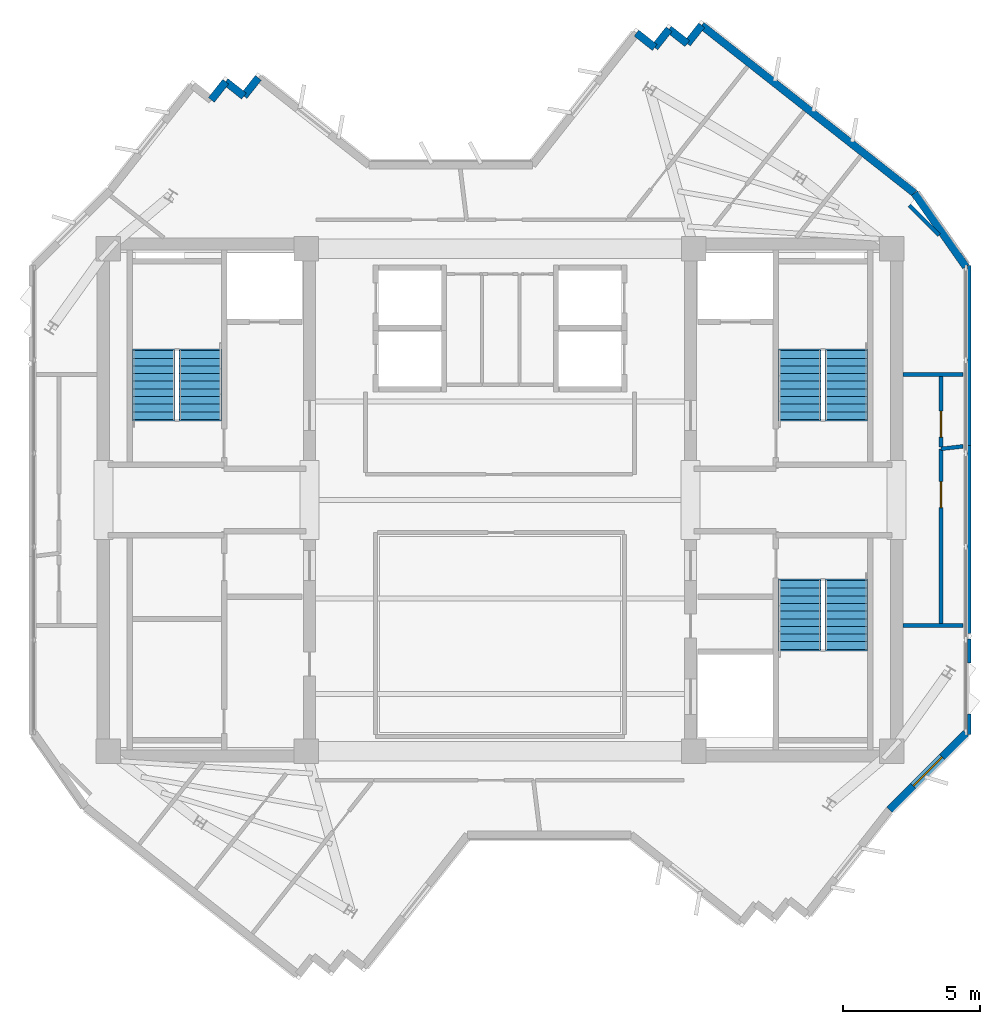
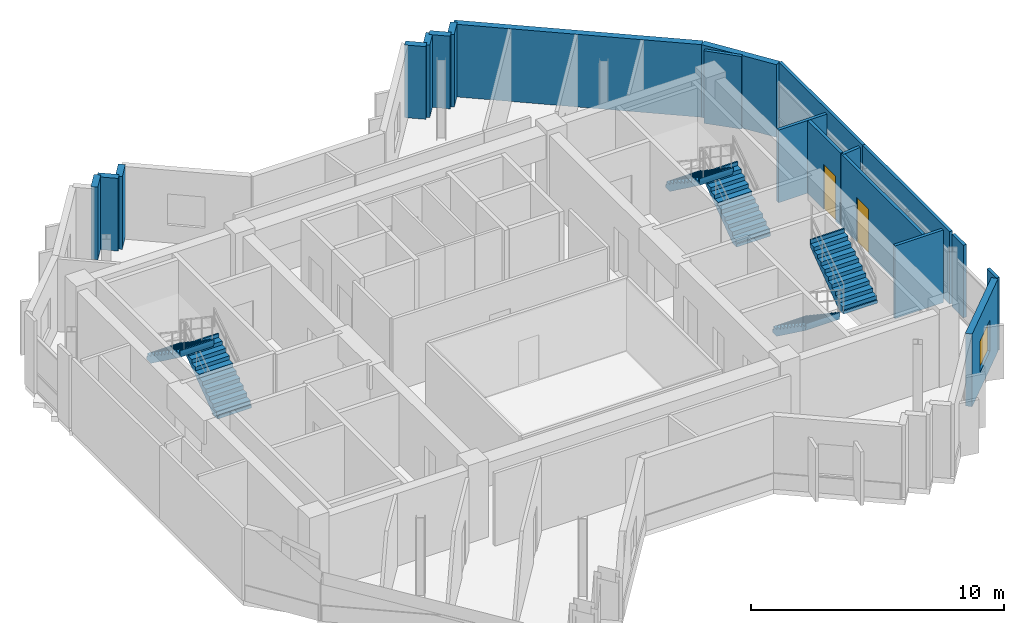
# One storey, part 8 of 10: 20 walls, 6 stair flights, 2 doors, 1 window, 3 openings, 3 elements without a shape of their own.
"""IFC4 building model written with IfcOpenShell, lengths in metres."""

from ifc_helpers import new_model, si_unit, direction, frame, frame_2d, origin, place, context, subcontext, project, spatial, polyline, rectangle, outline, extrude, source, transform, mapped, material, layer, layer_set, type_object, element, fill, aggregate, save


model = new_model("IFC4")

# Units and contexts
model_context = context("Model", 3, precision=1e-05, world=origin(), true_north=direction((0.0, 1.0)))
body_context = subcontext(model_context, "Body", "Model", "MODEL_VIEW")
ifc_project = project(units=[si_unit("LENGTHUNIT", "METRE"), si_unit("AREAUNIT", "SQUARE_METRE"), si_unit("VOLUMEUNIT", "CUBIC_METRE"), si_unit("PLANEANGLEUNIT", "RADIAN"), si_unit("MASSUNIT", "GRAM", prefix="KILO")], contexts=[model_context])

# Site, building, storey
site_placement = place(None, origin())
site = spatial("IfcSite", under=ifc_project, at=site_placement, CompositionType="ELEMENT")
building_placement = place(site_placement, origin())
building = spatial("IfcBuilding", under=site, at=building_placement, Name="Zahravan Cultural Tower", CompositionType="ELEMENT")
storey_placement = place(building_placement, frame((0.0, 0.0, 323.550048828125)))
storey = spatial("IfcBuildingStorey", under=building, at=storey_placement, Name="L78", CompositionType="ELEMENT", Elevation=323.550048828125)

# Wall, opening, window
ifc_material_1 = material(Name="Precast concrete C40/50", Category="concrete")
ifc_layer_1 = layer(ifc_material_1, 0.280029296875)
ifc_layer_set_1 = layer_set([ifc_layer_1], Name="Precast concrete C40/50")
wall_type_1 = type_object("IfcWallType", Name="EW-TC-280", PredefinedType="SOLIDWALL", material=ifc_layer_set_1)
wall_1_placement = place(storey_placement, frame((53.06005859375, 18.4580078125, 0.0), z_axis=(0.0, 0.0, 1.0), x_axis=(-0.707106781187, -0.707106781187, 0.0)))
wall_1 = element("IfcWall", 1, at=wall_1_placement, inside=storey, type_object=wall_type_1, Name="L78 Exterior Masonry Frame Wall 16", PredefinedType="SOLIDWALL", context=body_context, shape_type="SweptSolid", body=[
    extrude(rectangle(XDim=3.96337890625, YDim=0.280029296875, at=frame_2d((1.981689453125, 0.0))), origin(), (0.0, 0.0, 1.0), 3.5),
])
opening_1_placement = place(wall_1_placement, frame((1.23193359375, 0.0, 0.85009765625)))
opening_1 = element("IfcOpeningElement", 2, at=opening_1_placement, cuts=wall_1, Name="Opening WN-03", PredefinedType="OPENING", context=body_context, shape_type="SweptSolid", body=[
    extrude(rectangle(XDim=1.5, YDim=1.5, at=frame_2d((0.75, 0.75))), frame((0.0, 0.14990234375, 0.0), z_axis=(0.0, -1.0, 0.0), x_axis=(1.0, 0.0, 0.0)), (0.0, 0.0, 1.0), 0.300048828125),
])
ifc_material_2 = material(Name="Low-E solar-control double glazing", Category="glass")
window_type = type_object("IfcWindowType", Name="WN-REC-1500X1500", PartitioningType="SINGLE_PANEL", PredefinedType="WINDOW", material=ifc_material_2)
shared_shape_1 = source(origin(), body_context, "Body", "SweptSolid", [
    extrude(rectangle(XDim=1.5, YDim=1.5, at=frame_2d((0.75, 0.75))), frame((0.0, 0.030029296875, 0.0), z_axis=(0.0, -1.0, 0.0), x_axis=(1.0, 0.0, 0.0)), (0.0, 0.0, 1.0), 0.06005859375),
])
window_placement = place(opening_1_placement, origin())
window = element("IfcWindow", 3, at=window_placement, inside=storey, type_object=window_type, Name="L78 Recessed Solar Window 05", OverallHeight=1.5, OverallWidth=1.5, PartitioningType="SINGLE_PANEL", PredefinedType="WINDOW", context=body_context, shape_type="MappedRepresentation", body=[
    mapped(shared_shape_1, transform((0.0, 0.0, 0.0), x_axis=(1.0, 0.0, 0.0), y_axis=(0.0, 1.0, 0.0), z_axis=(0.0, 0.0, 1.0), scale=1.0)),
])
fill(opening_1, window)

# Wall, opening, door
ifc_material_3 = material(Name="Gypsum plasterboard partition")
ifc_layer_2 = layer(ifc_material_3, 0.139892578125)
ifc_layer_set_2 = layer_set([ifc_layer_2], Name="Gypsum plasterboard partition")
wall_type_2 = type_object("IfcWallType", Name="W-PART-140", PredefinedType="PARTITIONING", material=ifc_layer_set_2)
wall_2_placement = place(storey_placement, frame((52.14990234375, 28.948486328125, 0.0), z_axis=(0.0, 0.0, 1.0), x_axis=(-0.000379182834, 0.99999992811, 0.0)))
wall_2 = element("IfcWall", 4, at=wall_2_placement, inside=storey, type_object=wall_type_2, Name="L78 Interior Wall 072", PredefinedType="PARTITIONING", context=body_context, shape_type="SweptSolid", body=[
    extrude(rectangle(XDim=2.575439453125, YDim=0.139892578125, at=frame_2d((1.28759765625, 0.0))), origin(), (0.0, 0.0, 1.0), 3.5),
])
opening_2_placement = place(wall_2_placement, frame((0.357666015625, 0.0, 0.0)))
opening_2 = element("IfcOpeningElement", 5, at=opening_2_placement, cuts=wall_2, Name="Opening D-L78-17", PredefinedType="OPENING", context=body_context, shape_type="SweptSolid", body=[
    extrude(rectangle(XDim=0.949951171875, YDim=2.14990234375, at=frame_2d((0.47509765625, 1.074951171875))), frame((0.0, 0.079833984375, 0.0), z_axis=(0.0, -1.0, 0.0), x_axis=(1.0, 0.0, 0.0)), (0.0, 0.0, 1.0), 0.159912109375),
])
ifc_material_4 = material(Name="Anodised bronze-aluminium mullion", Category="aluminium")
door_type = type_object("IfcDoorType", Name="DR-ROOM-950", OperationType="NOTDEFINED", PredefinedType="DOOR", material=ifc_material_4)
shared_shape_2 = source(origin(), body_context, "Body", "SweptSolid", [
    extrude(rectangle(XDim=0.949951171875, YDim=2.14990234375, at=frame_2d((0.47509765625, 1.074951171875))), frame((0.0, 0.02490234375, 0.0), z_axis=(0.0, -1.0, 0.0), x_axis=(1.0, 0.0, 0.0)), (0.0, 0.0, 1.0), 0.050048828125),
])
door_1_placement = place(opening_2_placement, origin())
door_1 = element("IfcDoor", 6, at=door_1_placement, inside=storey, type_object=door_type, Name="L78 Door D-L78-17", OperationType="SINGLE_SWING_RIGHT", OverallHeight=2.14990234375, OverallWidth=0.949951171875, PredefinedType="DOOR", context=body_context, shape_type="MappedRepresentation", body=[
    mapped(shared_shape_2, transform((0.0, 0.0, 0.0), x_axis=(1.0, 0.0, 0.0), y_axis=(0.0, 1.0, 0.0), z_axis=(0.0, 0.0, 1.0), scale=1.0)),
])
fill(opening_2, door_1)

wall_3_placement = place(storey_placement, frame((52.1474609375, 22.477294921875, 0.0), z_axis=(0.0, 0.0, 1.0), x_axis=(0.0003817085, 0.999999927149, 0.0)))
wall_3 = element("IfcWall", 7, at=wall_3_placement, inside=storey, type_object=wall_type_2, Name="L78 Interior Wall 083", PredefinedType="PARTITIONING", context=body_context, shape_type="SweptSolid", body=[
    extrude(rectangle(XDim=6.39599609375, YDim=0.139892578125, at=frame_2d((3.197998046875, 0.0))), origin(), (0.0, 0.0, 1.0), 3.5),
])
opening_3_placement = place(wall_3_placement, frame((4.247802734375, 0.0, 0.0)))
opening_3 = element("IfcOpeningElement", 8, at=opening_3_placement, cuts=wall_3, Name="Opening D-L78-23", PredefinedType="OPENING", context=body_context, shape_type="SweptSolid", body=[
    extrude(rectangle(XDim=0.949951171875, YDim=2.14990234375, at=frame_2d((0.47509765625, 1.074951171875))), frame((0.0, 0.079833984375, 0.0), z_axis=(0.0, -1.0, 0.0), x_axis=(1.0, 0.0, 0.0)), (0.0, 0.0, 1.0), 0.159912109375),
])
door_2_placement = place(opening_3_placement, origin())
door_2 = element("IfcDoor", 9, at=door_2_placement, inside=storey, type_object=door_type, Name="L78 Door D-L78-23", OperationType="SINGLE_SWING_RIGHT", OverallHeight=2.14990234375, OverallWidth=0.949951171875, PredefinedType="DOOR", context=body_context, shape_type="MappedRepresentation", body=[
    mapped(shared_shape_2, transform((0.0, 0.0, 0.0), x_axis=(1.0, 0.0, 0.0), y_axis=(0.0, 1.0, 0.0), z_axis=(0.0, 0.0, 1.0), scale=1.0)),
])
fill(opening_3, door_2)

# Walls
shared_shape_3 = source(origin(), body_context, "Body", "SweptSolid", [
    extrude(rectangle(XDim=0.85009765625, YDim=0.280029296875, at=frame_2d((0.425048828125, 0.0))), origin(), (0.0, 0.0, 1.0), 3.5),
])
for number, where, z_axis, x_axis, name in (
    (10, (25.4296875, 41.64892578125, 0.0), (0.0, 0.0, 1.0), (0.619215838066, 0.785220826193, 0.0), "L78 Exterior Masonry Frame Wall 04"),
    (11, (25.9560546875, 42.31640625, 0.0), (0.0, 0.0, 1.0), (0.785220826193, -0.619215838066, 0.0), "L78 Exterior Masonry Frame Wall 05"),
    (12, (40.997314453125, 44.0966796875, 0.0), (0.0, 0.0, 1.0), (0.785220826193, -0.619215838066, 0.0), "L78 Exterior Masonry Frame Wall 10"),
    (13, (42.8583984375, 43.711669921875, 0.0), (0.0, 0.0, 1.0), (0.619215838066, 0.785220826193, 0.0), "L78 Exterior Masonry Frame Wall 13"),
):
    element("IfcWall", number, at=place(storey_placement, frame(where, z_axis=z_axis, x_axis=x_axis)), inside=storey, type_object=wall_type_1, Name=name, PredefinedType="SOLIDWALL", context=body_context, shape_type="MappedRepresentation", body=[
        mapped(shared_shape_3, transform((0.0, 0.0, 0.0), x_axis=(1.0, 0.0, 0.0), y_axis=(0.0, 1.0, 0.0), z_axis=(0.0, 0.0, 1.0), scale=1.0)),
    ])
shared_shape_4 = source(origin(), body_context, "Body", "SweptSolid", [
    extrude(rectangle(XDim=0.849853515625, YDim=0.280029296875, at=frame_2d((0.4248046875, 0.0))), origin(), (0.0, 0.0, 1.0), 3.5),
])
for number, where, z_axis, x_axis, name in (
    (14, (41.664794921875, 43.5703125, 0.0), (0.0, 0.0, 1.0), (0.619038707801, 0.785360476625, 0.0), "L78 Exterior Masonry Frame Wall 11"),
    (15, (42.19091796875, 44.23779296875, 0.0), (0.0, 0.0, 1.0), (0.785360476625, -0.619038707801, 0.0), "L78 Exterior Masonry Frame Wall 12"),
):
    element("IfcWall", number, at=place(storey_placement, frame(where, z_axis=z_axis, x_axis=x_axis)), inside=storey, type_object=wall_type_1, Name=name, PredefinedType="SOLIDWALL", context=body_context, shape_type="MappedRepresentation", body=[
        mapped(shared_shape_4, transform((0.0, 0.0, 0.0), x_axis=(1.0, 0.0, 0.0), y_axis=(0.0, 1.0, 0.0), z_axis=(0.0, 0.0, 1.0), scale=1.0)),
    ])
shared_shape_5 = source(origin(), body_context, "Body", "SweptSolid", [
    extrude(rectangle(XDim=9.919921875, YDim=0.280029296875, at=frame_2d((4.9599609375, 0.0))), origin(), (0.0, 0.0, 1.0), 3.5),
])
wall_4_placement = place(storey_placement, frame((43.384765625, 44.379150390625, 0.0), z_axis=(0.0, 0.0, 1.0), x_axis=(0.785317257435, -0.619093535077, 0.0)))
element("IfcWall", 16, at=wall_4_placement, inside=storey, type_object=wall_type_1, Name="L78 Exterior Masonry Frame Wall 14", PredefinedType="SOLIDWALL", context=body_context, shape_type="MappedRepresentation", body=[
    mapped(shared_shape_5, transform((0.0, 0.0, 0.0), x_axis=(1.0, 0.0, 0.0), y_axis=(0.0, 1.0, 0.0), z_axis=(0.0, 0.0, 1.0), scale=1.0)),
])
shared_shape_6 = source(origin(), body_context, "Body", "SweptSolid", [
    extrude(rectangle(XDim=0.850341796875, YDim=0.280029296875, at=frame_2d((0.42529296875, 0.0))), origin(), (0.0, 0.0, 1.0), 3.5),
])
wall_5_placement = place(storey_placement, frame((26.62353515625, 41.7900390625, 0.0), z_axis=(0.0, 0.0, 1.0), x_axis=(0.619076214196, 0.785330911793, 0.0)))
element("IfcWall", 17, at=wall_5_placement, inside=storey, type_object=wall_type_1, Name="L78 Exterior Masonry Frame Wall 06", PredefinedType="SOLIDWALL", context=body_context, shape_type="MappedRepresentation", body=[
    mapped(shared_shape_6, transform((0.0, 0.0, 0.0), x_axis=(1.0, 0.0, 0.0), y_axis=(0.0, 1.0, 0.0), z_axis=(0.0, 0.0, 1.0), scale=1.0)),
])
shared_shape_7 = source(origin(), body_context, "Body", "SweptSolid", [
    extrude(rectangle(XDim=3.28955078125, YDim=0.280029296875, at=frame_2d((1.644775390625, 0.0))), origin(), (0.0, 0.0, 1.0), 3.5),
])
wall_6_placement = place(storey_placement, frame((51.175048828125, 38.23779296875, 0.0), z_axis=(0.0, 0.0, 1.0), x_axis=(0.573043854491, -0.819524704222, 0.0)))
element("IfcWall", 18, at=wall_6_placement, inside=storey, type_object=wall_type_1, Name="L78 Exterior Masonry Frame Wall 15", PredefinedType="SOLIDWALL", context=body_context, shape_type="MappedRepresentation", body=[
    mapped(shared_shape_7, transform((0.0, 0.0, 0.0), x_axis=(1.0, 0.0, 0.0), y_axis=(0.0, 1.0, 0.0), z_axis=(0.0, 0.0, 1.0), scale=1.0)),
])
shared_shape_8 = source(origin(), body_context, "Body", "SweptSolid", [
    extrude(rectangle(XDim=2.205078125, YDim=0.139892578125, at=frame_2d((1.1025390625, 0.0))), origin(), (0.0, 0.0, 1.0), 3.5),
])
for number, where, z_axis, x_axis, name in (
    (19, (52.9599609375, 31.598388671875, 0.0), (0.0, 0.0, 1.0), (-0.99999969967, 0.000775021911, 0.0), "L78 Interior Wall 068"),
    (20, (50.7548828125, 22.400146484375, 0.0), (0.0, 0.0, 1.0), (0.999998620938, 0.001660759446, 0.0), "L78 Interior Wall 082"),
):
    element("IfcWall", number, at=place(storey_placement, frame(where, z_axis=z_axis, x_axis=x_axis)), inside=storey, type_object=wall_type_2, Name=name, PredefinedType="PARTITIONING", context=body_context, shape_type="MappedRepresentation", body=[
        mapped(shared_shape_8, transform((0.0, 0.0, 0.0), x_axis=(1.0, 0.0, 0.0), y_axis=(0.0, 1.0, 0.0), z_axis=(0.0, 0.0, 1.0), scale=1.0)),
    ])
shared_shape_9 = source(origin(), body_context, "Body", "SweptSolid", [
    extrude(rectangle(XDim=0.882080078125, YDim=0.139892578125, at=frame_2d((0.44091796875, 0.0))), origin(), (0.0, 0.0, 1.0), 3.5),
])
wall_7_placement = place(storey_placement, frame((53.180419921875, 21.9052734375, 0.0), z_axis=(0.0, 0.0, 1.0), x_axis=(-0.000553556516, -0.999999846788, 0.0)))
element("IfcWall", 21, at=wall_7_placement, inside=storey, type_object=wall_type_2, Name="L78 Interior Wall 085", PredefinedType="PARTITIONING", context=body_context, shape_type="MappedRepresentation", body=[
    mapped(shared_shape_9, transform((0.0, 0.0, 0.0), x_axis=(1.0, 0.0, 0.0), y_axis=(0.0, 1.0, 0.0), z_axis=(0.0, 0.0, 1.0), scale=1.0)),
])
shared_shape_10 = source(origin(), body_context, "Body", "SweptSolid", [
    extrude(rectangle(XDim=0.76171875, YDim=0.139892578125, at=frame_2d((0.380859375, 0.0))), origin(), (0.0, 0.0, 1.0), 3.5),
])
wall_8_placement = place(storey_placement, frame((53.18310546875, 19.169921875, 0.0), z_axis=(0.0, 0.0, 1.0), x_axis=(-0.004166630498, -0.999991319557, 0.0)))
element("IfcWall", 22, at=wall_8_placement, inside=storey, type_object=wall_type_2, Name="L78 Interior Wall 086", PredefinedType="PARTITIONING", context=body_context, shape_type="MappedRepresentation", body=[
    mapped(shared_shape_10, transform((0.0, 0.0, 0.0), x_axis=(1.0, 0.0, 0.0), y_axis=(0.0, 1.0, 0.0), z_axis=(0.0, 0.0, 1.0), scale=1.0)),
])
shared_shape_11 = source(origin(), body_context, "Body", "SweptSolid", [
    extrude(rectangle(XDim=1.538330078125, YDim=0.139892578125, at=frame_2d((0.76904296875, 0.0))), origin(), (0.0, 0.0, 1.0), 3.5),
])
wall_9_placement = place(storey_placement, frame((50.9912109375, 37.78271484375, 0.0), z_axis=(0.0, 0.0, 1.0), x_axis=(0.706709909315, -0.707503430434, 0.0)))
element("IfcWall", 23, at=wall_9_placement, inside=storey, type_object=wall_type_2, Name="L78 Interior Wall 069", PredefinedType="PARTITIONING", context=body_context, shape_type="MappedRepresentation", body=[
    mapped(shared_shape_11, transform((0.0, 0.0, 0.0), x_axis=(1.0, 0.0, 0.0), y_axis=(0.0, 1.0, 0.0), z_axis=(0.0, 0.0, 1.0), scale=1.0)),
])
shared_shape_12 = source(origin(), body_context, "Body", "SweptSolid", [
    extrude(rectangle(XDim=6.601806640625, YDim=0.139892578125, at=frame_2d((3.30078125, 0.0))), origin(), (0.0, 0.0, 1.0), 3.5),
])
wall_10_placement = place(storey_placement, frame((53.179931640625, 35.591796875, 0.0), z_axis=(0.0, 0.0, 1.0), x_axis=(0.0, -1.0, 0.0)))
element("IfcWall", 24, at=wall_10_placement, inside=storey, type_object=wall_type_2, Name="L78 Interior Wall 070", PredefinedType="PARTITIONING", context=body_context, shape_type="MappedRepresentation", body=[
    mapped(shared_shape_12, transform((0.0, 0.0, 0.0), x_axis=(1.0, 0.0, 0.0), y_axis=(0.0, 1.0, 0.0), z_axis=(0.0, 0.0, 1.0), scale=1.0)),
])
shared_shape_13 = source(origin(), body_context, "Body", "SweptSolid", [
    extrude(rectangle(XDim=0.810302734375, YDim=0.139892578125, at=frame_2d((0.4052734375, 0.0))), origin(), (0.0, 0.0, 1.0), 3.5),
])
wall_11_placement = place(storey_placement, frame((52.955078125, 28.964599609375, 0.0), z_axis=(0.0, 0.0, 1.0), x_axis=(-0.99359757088, -0.112977285955, 0.0)))
element("IfcWall", 25, at=wall_11_placement, inside=storey, type_object=wall_type_2, Name="L78 Interior Wall 071", PredefinedType="PARTITIONING", context=body_context, shape_type="MappedRepresentation", body=[
    mapped(shared_shape_13, transform((0.0, 0.0, 0.0), x_axis=(1.0, 0.0, 0.0), y_axis=(0.0, 1.0, 0.0), z_axis=(0.0, 0.0, 1.0), scale=1.0)),
])
shared_shape_14 = source(origin(), body_context, "Body", "SweptSolid", [
    extrude(rectangle(XDim=6.88134765625, YDim=0.139892578125, at=frame_2d((3.440673828125, 0.0))), origin(), (0.0, 0.0, 1.0), 3.5),
])
wall_12_placement = place(storey_placement, frame((53.179931640625, 28.989990234375, 0.0), z_axis=(0.0, 0.0, 1.0), x_axis=(0.0, -1.0, 0.0)))
element("IfcWall", 26, at=wall_12_placement, inside=storey, type_object=wall_type_2, Name="L78 Interior Wall 084", PredefinedType="PARTITIONING", context=body_context, shape_type="MappedRepresentation", body=[
    mapped(shared_shape_14, transform((0.0, 0.0, 0.0), x_axis=(1.0, 0.0, 0.0), y_axis=(0.0, 1.0, 0.0), z_axis=(0.0, 0.0, 1.0), scale=1.0)),
])

# Stair, stair flights
ifc_material_5 = material(Name="Concrete C45/55", Category="concrete")
stair_type = type_object("IfcStairType", Name="STR-DL-1550-375", PredefinedType="HALF_TURN_STAIR", material=ifc_material_5)
stair_1_placement = place(storey_placement, origin())
stair_1 = element("IfcStair", 27, at=stair_1_placement, inside=storey, type_object=stair_type, Name="L78 West Core North Exit Stair ST-W1", PredefinedType="HALF_TURN_STAIR")
stair_flight_type = type_object("IfcStairFlightType", Name="FLG-DL-1550-375", PredefinedType="STRAIGHT", material=ifc_material_5)
stair_flight_1_placement = place(storey_placement, frame((25.02490234375, 29.949951171875, 0.0), z_axis=(0.0, 0.0, 1.0), x_axis=(0.0, 1.0, 0.0)))
stair_flight_1 = element("IfcStairFlight", 28, at=stair_flight_1_placement, type_object=stair_flight_type, Name="ST-W1 flight 1", NumberOfRisers=10, NumberOfTreads=9, PredefinedType="STRAIGHT", RiserHeight=0.1875, TreadLength=0.28, context=body_context, shape_type="SweptSolid", body=[
    extrude(outline(polyline([(-0.06494140625, -0.139892578125), (-0.06494140625, 0.0), (0.0, 0.0), (0.0, 0.1875), (0.280029296875, 0.1875), (0.280029296875, 0.375), (0.56005859375, 0.375), (0.56005859375, 0.5625), (0.840087890625, 0.5625), (0.840087890625, 0.75), (1.1201171875, 0.75), (1.1201171875, 0.9375), (1.39990234375, 0.9375), (1.39990234375, 1.125), (1.679931640625, 1.125), (1.679931640625, 1.3125), (1.9599609375, 1.3125), (1.9599609375, 1.5), (2.239990234375, 1.5), (2.239990234375, 1.6875), (2.52001953125, 1.6875), (2.52001953125, 1.875), (2.5849609375, 1.875), (2.5849609375, 1.72509765625), (2.52001953125, 1.507080078125), (0.26953125, -0.139892578125), (-0.06494140625, -0.139892578125)])), frame((0.0, 0.77490234375, 0.0), z_axis=(0.0, -1.0, 0.0), x_axis=(1.0, 0.0, 0.0)), (0.0, 0.0, 1.0), 1.550048828125),
])
stair_flight_2_placement = place(storey_placement, frame((23.324951171875, 32.469970703125, 1.875), z_axis=(0.0, 0.0, 1.0), x_axis=(0.0, -1.0, 0.0)))
stair_flight_2 = element("IfcStairFlight", 29, at=stair_flight_2_placement, type_object=stair_flight_type, Name="ST-W1 flight 2", NumberOfRisers=10, NumberOfTreads=9, PredefinedType="STRAIGHT", RiserHeight=0.1875, TreadLength=0.28, context=body_context, shape_type="SweptSolid", body=[
    extrude(outline(polyline([(-0.06494140625, -0.139892578125), (-0.06494140625, 0.0), (0.0, 0.0), (0.0, 0.1875), (0.280029296875, 0.1875), (0.280029296875, 0.375), (0.56005859375, 0.375), (0.56005859375, 0.5625), (0.840087890625, 0.5625), (0.840087890625, 0.75), (1.1201171875, 0.75), (1.1201171875, 0.9375), (1.39990234375, 0.9375), (1.39990234375, 1.125), (1.679931640625, 1.125), (1.679931640625, 1.3125), (1.9599609375, 1.3125), (1.9599609375, 1.5), (2.239990234375, 1.5), (2.239990234375, 1.6875), (2.52001953125, 1.6875), (2.52001953125, 1.875), (2.5849609375, 1.875), (2.5849609375, 1.72509765625), (2.52001953125, 1.507080078125), (0.26953125, -0.139892578125), (-0.06494140625, -0.139892578125)])), frame((0.0, 0.77490234375, 0.0), z_axis=(0.0, -1.0, 0.0), x_axis=(1.0, 0.0, 0.0)), (0.0, 0.0, 1.0), 1.550048828125),
])
aggregate(stair_1, [stair_flight_1, stair_flight_2])

stair_2_placement = place(storey_placement, origin())
stair_2 = element("IfcStair", 30, at=stair_2_placement, inside=storey, type_object=stair_type, Name="L78 East Core North Exit Stair ST-E1", PredefinedType="HALF_TURN_STAIR")
stair_flight_3_placement = place(storey_placement, frame((48.675048828125, 29.949951171875, 0.0), z_axis=(0.0, 0.0, 1.0), x_axis=(0.0, 1.0, 0.0)))
stair_flight_3 = element("IfcStairFlight", 31, at=stair_flight_3_placement, type_object=stair_flight_type, Name="ST-E1 flight 1", NumberOfRisers=10, NumberOfTreads=9, PredefinedType="STRAIGHT", RiserHeight=0.1875, TreadLength=0.28, context=body_context, shape_type="SweptSolid", body=[
    extrude(outline(polyline([(-0.06494140625, -0.139892578125), (-0.06494140625, 0.0), (0.0, 0.0), (0.0, 0.1875), (0.280029296875, 0.1875), (0.280029296875, 0.375), (0.56005859375, 0.375), (0.56005859375, 0.5625), (0.840087890625, 0.5625), (0.840087890625, 0.75), (1.1201171875, 0.75), (1.1201171875, 0.9375), (1.39990234375, 0.9375), (1.39990234375, 1.125), (1.679931640625, 1.125), (1.679931640625, 1.3125), (1.9599609375, 1.3125), (1.9599609375, 1.5), (2.239990234375, 1.5), (2.239990234375, 1.6875), (2.52001953125, 1.6875), (2.52001953125, 1.875), (2.5849609375, 1.875), (2.5849609375, 1.72509765625), (2.52001953125, 1.507080078125), (0.26953125, -0.139892578125), (-0.06494140625, -0.139892578125)])), frame((0.0, 0.77490234375, 0.0), z_axis=(0.0, -1.0, 0.0), x_axis=(1.0, 0.0, 0.0)), (0.0, 0.0, 1.0), 1.550048828125),
])
stair_flight_4_placement = place(storey_placement, frame((46.97509765625, 32.469970703125, 1.875), z_axis=(0.0, 0.0, 1.0), x_axis=(0.0, -1.0, 0.0)))
stair_flight_4 = element("IfcStairFlight", 32, at=stair_flight_4_placement, type_object=stair_flight_type, Name="ST-E1 flight 2", NumberOfRisers=10, NumberOfTreads=9, PredefinedType="STRAIGHT", RiserHeight=0.1875, TreadLength=0.28, context=body_context, shape_type="SweptSolid", body=[
    extrude(outline(polyline([(-0.06494140625, -0.139892578125), (-0.06494140625, 0.0), (0.0, 0.0), (0.0, 0.1875), (0.280029296875, 0.1875), (0.280029296875, 0.375), (0.56005859375, 0.375), (0.56005859375, 0.5625), (0.840087890625, 0.5625), (0.840087890625, 0.75), (1.1201171875, 0.75), (1.1201171875, 0.9375), (1.39990234375, 0.9375), (1.39990234375, 1.125), (1.679931640625, 1.125), (1.679931640625, 1.3125), (1.9599609375, 1.3125), (1.9599609375, 1.5), (2.239990234375, 1.5), (2.239990234375, 1.6875), (2.52001953125, 1.6875), (2.52001953125, 1.875), (2.5849609375, 1.875), (2.5849609375, 1.72509765625), (2.52001953125, 1.507080078125), (0.26953125, -0.139892578125), (-0.06494140625, -0.139892578125)])), frame((0.0, 0.77490234375, 0.0), z_axis=(0.0, -1.0, 0.0), x_axis=(1.0, 0.0, 0.0)), (0.0, 0.0, 1.0), 1.550048828125),
])
aggregate(stair_2, [stair_flight_3, stair_flight_4])

stair_3_placement = place(storey_placement, origin())
stair_3 = element("IfcStair", 33, at=stair_3_placement, inside=storey, type_object=stair_type, Name="L78 East Core South Exit Stair ST-E2", PredefinedType="HALF_TURN_STAIR")
stair_flight_5_placement = place(storey_placement, frame((46.97509765625, 24.050048828125, 0.0), z_axis=(0.0, 0.0, 1.0), x_axis=(0.0, -1.0, 0.0)))
stair_flight_5 = element("IfcStairFlight", 34, at=stair_flight_5_placement, type_object=stair_flight_type, Name="ST-E2 flight 1", NumberOfRisers=10, NumberOfTreads=9, PredefinedType="STRAIGHT", RiserHeight=0.1875, TreadLength=0.28, context=body_context, shape_type="SweptSolid", body=[
    extrude(outline(polyline([(-0.06494140625, -0.139892578125), (-0.06494140625, 0.0), (0.0, 0.0), (0.0, 0.1875), (0.280029296875, 0.1875), (0.280029296875, 0.375), (0.56005859375, 0.375), (0.56005859375, 0.5625), (0.840087890625, 0.5625), (0.840087890625, 0.75), (1.1201171875, 0.75), (1.1201171875, 0.9375), (1.39990234375, 0.9375), (1.39990234375, 1.125), (1.679931640625, 1.125), (1.679931640625, 1.3125), (1.9599609375, 1.3125), (1.9599609375, 1.5), (2.239990234375, 1.5), (2.239990234375, 1.6875), (2.52001953125, 1.6875), (2.52001953125, 1.875), (2.5849609375, 1.875), (2.5849609375, 1.72509765625), (2.52001953125, 1.507080078125), (0.26953125, -0.139892578125), (-0.06494140625, -0.139892578125)])), frame((0.0, 0.77490234375, 0.0), z_axis=(0.0, -1.0, 0.0), x_axis=(1.0, 0.0, 0.0)), (0.0, 0.0, 1.0), 1.550048828125),
])
stair_flight_6_placement = place(storey_placement, frame((48.675048828125, 21.530029296875, 1.875), z_axis=(0.0, 0.0, 1.0), x_axis=(0.0, 1.0, 0.0)))
stair_flight_6 = element("IfcStairFlight", 35, at=stair_flight_6_placement, type_object=stair_flight_type, Name="ST-E2 flight 2", NumberOfRisers=10, NumberOfTreads=9, PredefinedType="STRAIGHT", RiserHeight=0.1875, TreadLength=0.28, context=body_context, shape_type="SweptSolid", body=[
    extrude(outline(polyline([(-0.06494140625, -0.139892578125), (-0.06494140625, 0.0), (0.0, 0.0), (0.0, 0.1875), (0.280029296875, 0.1875), (0.280029296875, 0.375), (0.56005859375, 0.375), (0.56005859375, 0.5625), (0.840087890625, 0.5625), (0.840087890625, 0.75), (1.1201171875, 0.75), (1.1201171875, 0.9375), (1.39990234375, 0.9375), (1.39990234375, 1.125), (1.679931640625, 1.125), (1.679931640625, 1.3125), (1.9599609375, 1.3125), (1.9599609375, 1.5), (2.239990234375, 1.5), (2.239990234375, 1.6875), (2.52001953125, 1.6875), (2.52001953125, 1.875), (2.5849609375, 1.875), (2.5849609375, 1.72509765625), (2.52001953125, 1.507080078125), (0.26953125, -0.139892578125), (-0.06494140625, -0.139892578125)])), frame((0.0, 0.77490234375, 0.0), z_axis=(0.0, -1.0, 0.0), x_axis=(1.0, 0.0, 0.0)), (0.0, 0.0, 1.0), 1.550048828125),
])
aggregate(stair_3, [stair_flight_5, stair_flight_6])

save(model, "model.ifc")
